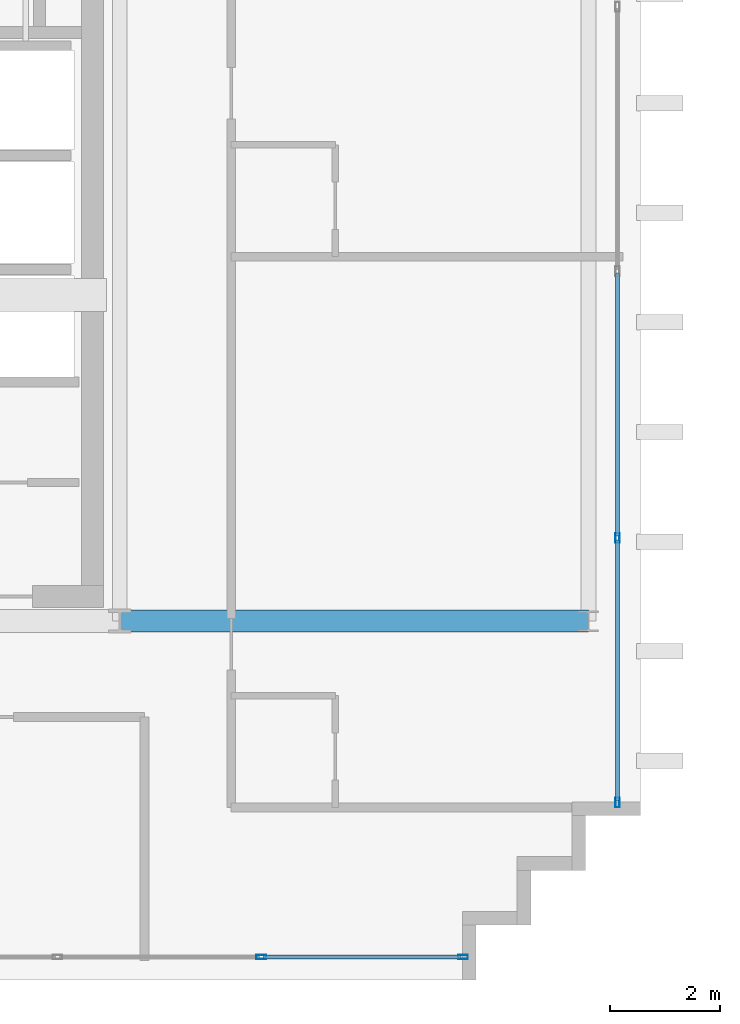
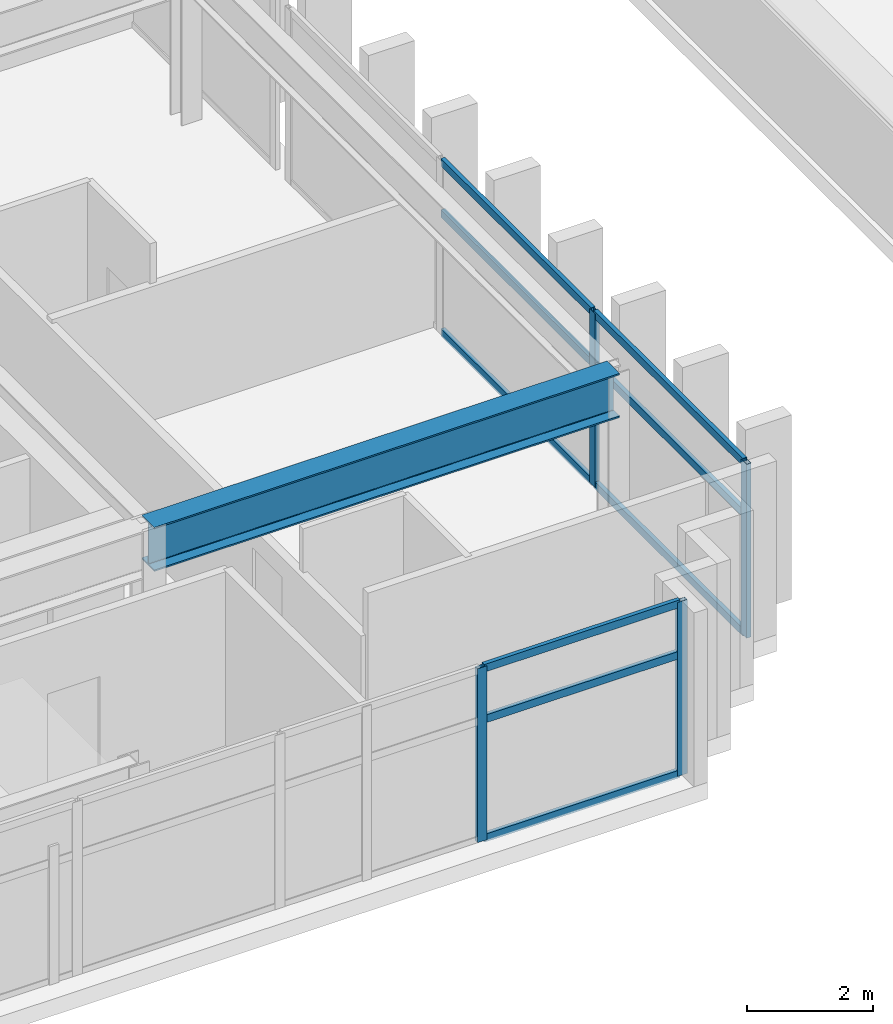
# One storey, part 5 of 17: 13 members, 1 beam, 2 elements without a shape of their own.
"""IFC4 building model written with IfcOpenShell, lengths in metres."""

from ifc_helpers import new_model, si_unit, direction, frame, origin, origin_2d, place, context, subcontext, project, spatial, hollow_rectangle, i_section, extrude, source, transform, mapped, material, layer, layer_set, material_profile, profile_set, type_object, element, aggregate, save


model = new_model("IFC4")

# Units and contexts
model_context = context("Model", 3, precision=1e-05, world=origin(), true_north=direction((0.0, 1.0)))
body_context = subcontext(model_context, "Body", "Model", "MODEL_VIEW")
ifc_project = project(units=[si_unit("LENGTHUNIT", "METRE"), si_unit("AREAUNIT", "SQUARE_METRE"), si_unit("VOLUMEUNIT", "CUBIC_METRE"), si_unit("PLANEANGLEUNIT", "RADIAN"), si_unit("MASSUNIT", "GRAM", prefix="KILO")], contexts=[model_context])

# Site, building, storey
site_placement = place(None, origin())
site = spatial("IfcSite", under=ifc_project, at=site_placement, CompositionType="ELEMENT")
building_placement = place(site_placement, origin())
building = spatial("IfcBuilding", under=site, at=building_placement, Name="Ocotamira Hotel", CompositionType="ELEMENT")
storey_placement = place(building_placement, frame((0.0, 0.0, 272.39990234375)))
storey = spatial("IfcBuildingStorey", under=building, at=storey_placement, Name="L69", CompositionType="ELEMENT", Elevation=272.39990234375)

# Beam
ifc_material_1 = material(Name="Steel ASTM A992 Grade 50", Category="steel")
ifc_material_profile_1 = material_profile(ifc_material_1, i_section(OverallWidth=0.39990234375, OverallDepth=0.85595703125, WebThickness=0.018310546875, FlangeThickness=0.029296875, FilletRadius=0.02001953125, at=origin_2d()), Name="W33X201")
ifc_profile_set_1 = profile_set([ifc_material_profile_1], Name="Steel ASTM A992 Grade 50")
beam_type = type_object("IfcBeamType", Name="BM-GIRD-W33X201", PredefinedType="BEAM", material=ifc_profile_set_1)
shared_shape_1 = source(origin(), body_context, "Body", "SweptSolid", [
    extrude(i_section(OverallWidth=0.39990234375, OverallDepth=0.85595703125, WebThickness=0.018310546875, FlangeThickness=0.029296875, FilletRadius=0.02001953125, at=origin_2d()), origin(), (0.0, 0.0, 1.0), 8.550048828125),
])
beam_placement = place(storey_placement, frame((23.5, 14.550048828125, 2.9521484375), z_axis=(1.0, 0.0, 0.0), x_axis=(0.0, 1.0, 0.0)))
element("IfcBeam", 1, at=beam_placement, inside=storey, type_object=beam_type, Name="L69 Girder Y14.55 X23.5-32.05", PredefinedType="BEAM", context=body_context, shape_type="MappedRepresentation", body=[
    mapped(shared_shape_1, transform((0.0, 0.0, 0.0), scale=1.0)),
])

# Curtain wall, members
ifc_material_2 = material(Name="Anodised pale-metal aluminium and solar glass", Category="aluminium")
ifc_layer = layer(ifc_material_2, 0.2099609375)
ifc_layer_set = layer_set([ifc_layer], Name="Anodised pale-metal aluminium and solar glass")
curtain_wall_type = type_object("IfcCurtainWallType", Name="CW-SYS7-PEAK", PredefinedType="NOTDEFINED", material=ifc_layer_set)
curtain_wall_1_placement = place(storey_placement, origin())
curtain_wall_1 = element("IfcCurtainWall", 2, at=curtain_wall_1_placement, inside=storey, type_object=curtain_wall_type, Name="L69 Curtain Wall CW-7 CW-L69-S1", PredefinedType="NOTDEFINED")
ifc_material_3 = material(Name="Anodised pale-metal aluminium 6063-T6", Category="aluminium")
ifc_material_profile_2 = material_profile(ifc_material_3, hollow_rectangle(XDim=0.080078125, YDim=0.179931640625, WallThickness=0.006103515625, at=origin_2d()), Name="HSS180X80X6")
ifc_profile_set_2 = profile_set([ifc_material_profile_2], Name="Anodised pale-metal aluminium 6063-T6")
member_type_1 = type_object("IfcMemberType", Name="CWM-180X75", PredefinedType="MULLION", material=ifc_profile_set_2)
shared_shape_2 = source(origin(), body_context, "Body", "SweptSolid", [
    extrude(hollow_rectangle(XDim=0.080078125, YDim=0.179931640625, WallThickness=0.006103515625, at=origin_2d()), origin(), (0.0, 0.0, 1.0), 3.380126953125),
])
member_1_placement = place(storey_placement, frame((26.080078125, 8.419921875, 0.0), z_axis=(0.0, 0.0, 1.0), x_axis=(0.0, 1.0, 0.0)))
member_1 = element("IfcMember", 3, at=member_1_placement, type_object=member_type_1, Name="CW-7 mullion 5", PredefinedType="MULLION", context=body_context, shape_type="MappedRepresentation", body=[
    mapped(shared_shape_2, transform((0.0, 0.0, 0.0), scale=1.0)),
])
member_2_placement = place(storey_placement, frame((29.760009765625, 8.419921875, 0.0), z_axis=(0.0, 0.0, 1.0), x_axis=(0.0, 1.0, 0.0)))
member_2 = element("IfcMember", 4, at=member_2_placement, type_object=member_type_1, Name="CW-7 mullion 6", PredefinedType="MULLION", context=body_context, shape_type="MappedRepresentation", body=[
    mapped(shared_shape_2, transform((0.0, 0.0, 0.0), scale=1.0)),
])

curtain_wall_2_placement = place(storey_placement, origin())
curtain_wall_2 = element("IfcCurtainWall", 5, at=curtain_wall_2_placement, inside=storey, type_object=curtain_wall_type, Name="L69 Curtain Wall CW-7 CW-L69-E1", PredefinedType="NOTDEFINED")
member_3_placement = place(storey_placement, frame((32.580078125, 11.239990234375, 0.0), z_axis=(0.0, 0.0, 1.0), x_axis=(-1.0, 0.0, 0.0)))
member_3 = element("IfcMember", 6, at=member_3_placement, type_object=member_type_1, Name="CW-7 mullion 1", PredefinedType="MULLION", context=body_context, shape_type="MappedRepresentation", body=[
    mapped(shared_shape_2, transform((0.0, 0.0, 0.0), scale=1.0)),
])
member_4_placement = place(storey_placement, frame((32.580078125, 16.066650390625, 0.0), z_axis=(0.0, 0.0, 1.0), x_axis=(-1.0, 0.0, 0.0)))
member_4 = element("IfcMember", 7, at=member_4_placement, type_object=member_type_1, Name="CW-7 mullion 2", PredefinedType="MULLION", context=body_context, shape_type="MappedRepresentation", body=[
    mapped(shared_shape_2, transform((0.0, 0.0, 0.0), scale=1.0)),
])

# Member
ifc_material_profile_3 = material_profile(ifc_material_3, hollow_rectangle(XDim=0.074951171875, YDim=0.14990234375, WallThickness=0.006103515625, at=origin_2d()), Name="HSS150X75X6")
ifc_profile_set_3 = profile_set([ifc_material_profile_3], Name="Anodised pale-metal aluminium 6063-T6")
member_type_2 = type_object("IfcMemberType", Name="CWT-150X75", PredefinedType="USERDEFINED", material=ifc_profile_set_3)
shared_shape_3 = source(origin(), body_context, "Body", "SweptSolid", [
    extrude(hollow_rectangle(XDim=0.074951171875, YDim=0.14990234375, WallThickness=0.006103515625, at=origin_2d()), origin(), (0.0, 0.0, 1.0), 3.599853515625),
])
member_5_placement = place(storey_placement, frame((26.1201171875, 8.419921875, 0.03759765625), z_axis=(1.0, 0.0, 0.0), x_axis=(0.0, 1.0, 0.0)))
member_5 = element("IfcMember", 8, at=member_5_placement, type_object=member_type_2, Name="CW-7 transom 5.1", ObjectType="TRANSOM", PredefinedType="USERDEFINED", context=body_context, shape_type="MappedRepresentation", body=[
    mapped(shared_shape_3, transform((0.0, 0.0, 0.0), scale=1.0)),
])

member_6_placement = place(storey_placement, frame((26.1201171875, 8.419921875, 2.35009765625), z_axis=(1.0, 0.0, 0.0), x_axis=(0.0, 1.0, 0.0)))
member_6 = element("IfcMember", 9, at=member_6_placement, type_object=member_type_2, Name="CW-7 transom 5.2", ObjectType="TRANSOM", PredefinedType="USERDEFINED", context=body_context, shape_type="MappedRepresentation", body=[
    mapped(shared_shape_3, transform((0.0, 0.0, 0.0), scale=1.0)),
])

member_7_placement = place(storey_placement, frame((26.1201171875, 8.419921875, 3.342529296875), z_axis=(1.0, 0.0, 0.0), x_axis=(0.0, 1.0, 0.0)))
member_7 = element("IfcMember", 10, at=member_7_placement, type_object=member_type_2, Name="CW-7 transom 5.3", ObjectType="TRANSOM", PredefinedType="USERDEFINED", context=body_context, shape_type="MappedRepresentation", body=[
    mapped(shared_shape_3, transform((0.0, 0.0, 0.0), scale=1.0)),
])

aggregate(curtain_wall_1, [member_1, member_2, member_5, member_6, member_7])

shared_shape_4 = source(origin(), body_context, "Body", "SweptSolid", [
    extrude(hollow_rectangle(XDim=0.074951171875, YDim=0.14990234375, WallThickness=0.006103515625, at=origin_2d()), origin(), (0.0, 0.0, 1.0), 4.74658203125),
])
member_8_placement = place(storey_placement, frame((32.580078125, 11.280029296875, 0.03759765625), z_axis=(0.0, 1.0, 0.0), x_axis=(-1.0, 0.0, 0.0)))
member_8 = element("IfcMember", 11, at=member_8_placement, type_object=member_type_2, Name="CW-7 transom 1.1", ObjectType="TRANSOM", PredefinedType="USERDEFINED", context=body_context, shape_type="MappedRepresentation", body=[
    mapped(shared_shape_4, transform((0.0, 0.0, 0.0), scale=1.0)),
])

member_9_placement = place(storey_placement, frame((32.580078125, 11.280029296875, 2.35009765625), z_axis=(0.0, 1.0, 0.0), x_axis=(-1.0, 0.0, 0.0)))
member_9 = element("IfcMember", 12, at=member_9_placement, type_object=member_type_2, Name="CW-7 transom 1.2", ObjectType="TRANSOM", PredefinedType="USERDEFINED", context=body_context, shape_type="MappedRepresentation", body=[
    mapped(shared_shape_4, transform((0.0, 0.0, 0.0), scale=1.0)),
])

member_10_placement = place(storey_placement, frame((32.580078125, 11.280029296875, 3.342529296875), z_axis=(0.0, 1.0, 0.0), x_axis=(-1.0, 0.0, 0.0)))
member_10 = element("IfcMember", 13, at=member_10_placement, type_object=member_type_2, Name="CW-7 transom 1.3", ObjectType="TRANSOM", PredefinedType="USERDEFINED", context=body_context, shape_type="MappedRepresentation", body=[
    mapped(shared_shape_4, transform((0.0, 0.0, 0.0), scale=1.0)),
])

shared_shape_5 = source(origin(), body_context, "Body", "SweptSolid", [
    extrude(hollow_rectangle(XDim=0.074951171875, YDim=0.14990234375, WallThickness=0.006103515625, at=origin_2d()), origin(), (0.0, 0.0, 1.0), 4.78662109375),
])
member_11_placement = place(storey_placement, frame((32.580078125, 16.106689453125, 0.03759765625), z_axis=(0.0, 1.0, 0.0), x_axis=(-1.0, 0.0, 0.0)))
member_11 = element("IfcMember", 14, at=member_11_placement, type_object=member_type_2, Name="CW-7 transom 2.1", ObjectType="TRANSOM", PredefinedType="USERDEFINED", context=body_context, shape_type="MappedRepresentation", body=[
    mapped(shared_shape_5, transform((0.0, 0.0, 0.0), scale=1.0)),
])

member_12_placement = place(storey_placement, frame((32.580078125, 16.106689453125, 2.35009765625), z_axis=(0.0, 1.0, 0.0), x_axis=(-1.0, 0.0, 0.0)))
member_12 = element("IfcMember", 15, at=member_12_placement, type_object=member_type_2, Name="CW-7 transom 2.2", ObjectType="TRANSOM", PredefinedType="USERDEFINED", context=body_context, shape_type="MappedRepresentation", body=[
    mapped(shared_shape_5, transform((0.0, 0.0, 0.0), scale=1.0)),
])

member_13_placement = place(storey_placement, frame((32.580078125, 16.106689453125, 3.342529296875), z_axis=(0.0, 1.0, 0.0), x_axis=(-1.0, 0.0, 0.0)))
member_13 = element("IfcMember", 16, at=member_13_placement, type_object=member_type_2, Name="CW-7 transom 2.3", ObjectType="TRANSOM", PredefinedType="USERDEFINED", context=body_context, shape_type="MappedRepresentation", body=[
    mapped(shared_shape_5, transform((0.0, 0.0, 0.0), scale=1.0)),
])

aggregate(curtain_wall_2, [member_3, member_4, member_8, member_9, member_10, member_11, member_12, member_13])

save(model, "model.ifc")
